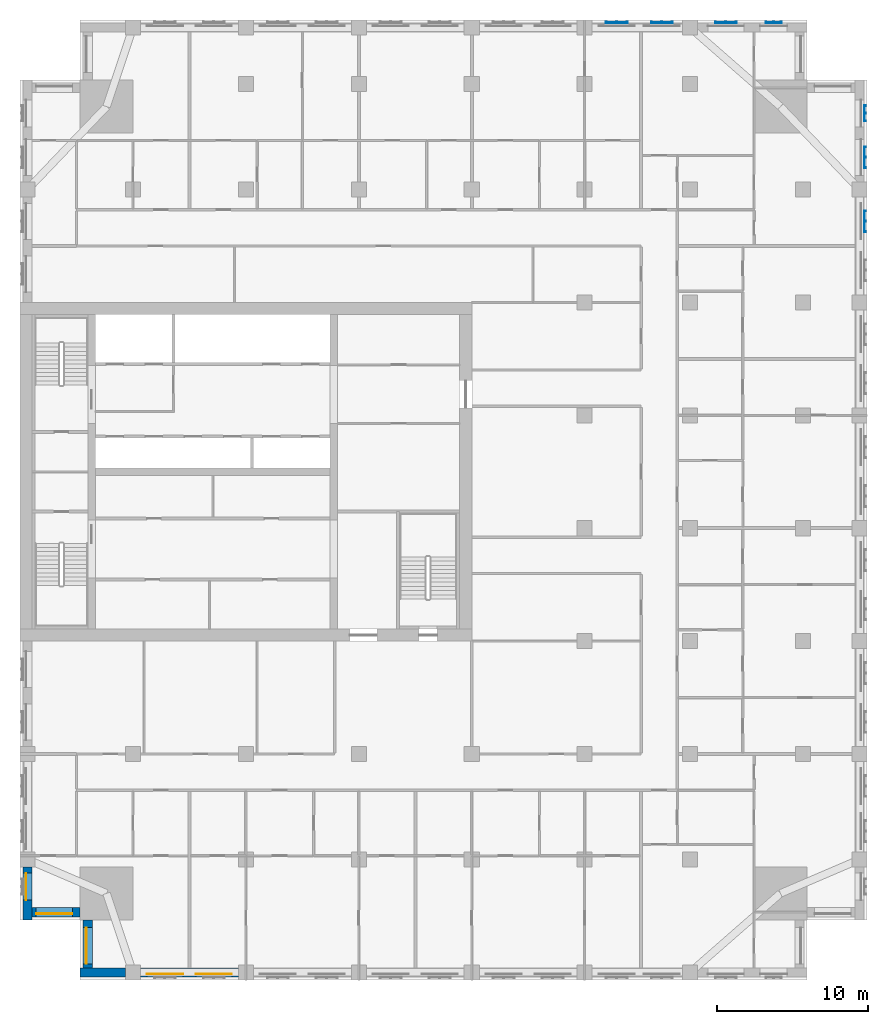
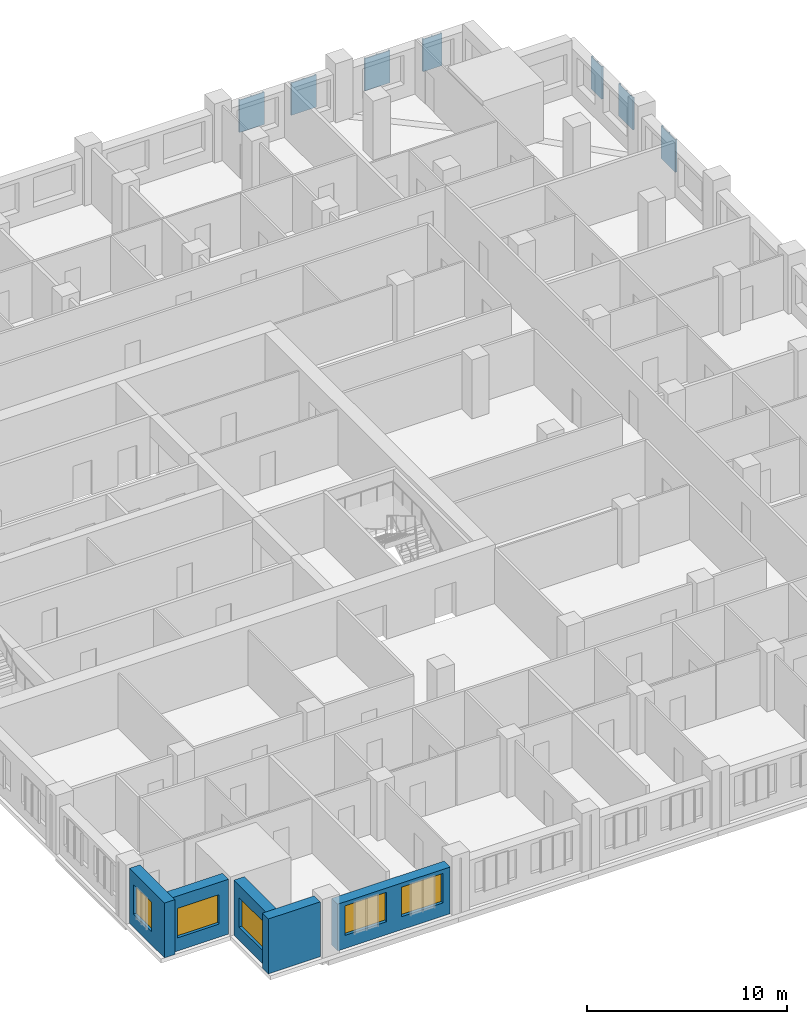
# One storey, part 3 of 13: 7 plates, 5 walls, 5 windows, 5 openings.
"""IFC4 building model written with IfcOpenShell, lengths in metres."""

from ifc_helpers import new_model, si_unit, direction, frame, frame_2d, origin, place, context, subcontext, project, spatial, polyline, rectangle, outline, extrude, material, layer, layer_set, type_object, element, fill, save


model = new_model("IFC4")

# Units and contexts
model_context = context("Model", 3, precision=1e-05, world=origin(), true_north=direction((0.0, 1.0)))
body_context = subcontext(model_context, "Body", "Model", "MODEL_VIEW")
ifc_project = project(units=[si_unit("LENGTHUNIT", "METRE"), si_unit("AREAUNIT", "SQUARE_METRE"), si_unit("VOLUMEUNIT", "CUBIC_METRE"), si_unit("PLANEANGLEUNIT", "RADIAN"), si_unit("MASSUNIT", "GRAM", prefix="KILO")], contexts=[model_context])

# Site, building, storey
site_placement = place(None, origin())
site = spatial("IfcSite", under=ifc_project, at=site_placement, CompositionType="ELEMENT")
building_placement = place(site_placement, origin())
building = spatial("IfcBuilding", under=site, at=building_placement, Name="Tamorin Gate", CompositionType="ELEMENT")
storey_placement = place(building_placement, frame((0.0, 0.0, 159.0)))
storey = spatial("IfcBuildingStorey", under=building, at=storey_placement, Name="L39", CompositionType="ELEMENT", Elevation=159.0)

# Plates
ifc_material_1 = material(Name="Perforated pale aluminium sheet", Category="aluminium")
ifc_layer_1 = layer(ifc_material_1, 0.0400390625)
ifc_layer_set_1 = layer_set([ifc_layer_1], Name="Pale metal solar screen 1080")
plate_type_1 = type_object("IfcPlateType", Name="Pale metal solar screen 1080", PredefinedType="SHEET", material=ifc_layer_set_1)
plate_1_placement = place(storey_placement, frame((0.0, 0.0, 0.7099609375)))
element("IfcPlate", 1, at=plate_1_placement, inside=storey, type_object=plate_type_1, Name="Perforated solar screen", PredefinedType="SHEET", context=body_context, shape_type="SweptSolid", body=[
    extrude(outline(polyline([(86.090087890625, 94.510009765625), (86.050048828125, 94.510009765625), (86.050048828125, 94.570068359375), (86.050048828125, 95.02001953125), (86.050048828125, 95.080078125), (86.050048828125, 95.530029296875), (86.050048828125, 95.590087890625), (86.090087890625, 95.590087890625), (86.14990234375, 95.590087890625), (86.14990234375, 95.530029296875), (86.090087890625, 95.530029296875), (86.090087890625, 95.080078125), (86.14990234375, 95.080078125), (86.14990234375, 95.02001953125), (86.090087890625, 95.02001953125), (86.090087890625, 94.570068359375), (86.14990234375, 94.570068359375), (86.14990234375, 94.510009765625), (86.090087890625, 94.510009765625)])), origin(), (0.0, 0.0, 1.0), 1.97998046875),
])
plate_2_placement = place(storey_placement, frame((0.0, 0.0, 0.7099609375)))
element("IfcPlate", 2, at=plate_2_placement, inside=storey, type_object=plate_type_1, Name="Perforated solar screen", PredefinedType="SHEET", context=body_context, shape_type="SweptSolid", body=[
    extrude(outline(polyline([(80.590087890625, 101.090087890625), (80.590087890625, 101.050048828125), (80.530029296875, 101.050048828125), (80.080078125, 101.050048828125), (80.02001953125, 101.050048828125), (79.570068359375, 101.050048828125), (79.510009765625, 101.050048828125), (79.510009765625, 101.090087890625), (79.510009765625, 101.14990234375), (79.570068359375, 101.14990234375), (79.570068359375, 101.090087890625), (80.02001953125, 101.090087890625), (80.02001953125, 101.14990234375), (80.080078125, 101.14990234375), (80.080078125, 101.090087890625), (80.530029296875, 101.090087890625), (80.530029296875, 101.14990234375), (80.590087890625, 101.14990234375), (80.590087890625, 101.090087890625)])), origin(), (0.0, 0.0, 1.0), 1.97998046875),
])
ifc_layer_2 = layer(ifc_material_1, 0.0400390625)
ifc_layer_set_2 = layer_set([ifc_layer_2], Name="Pale metal solar screen 1440")
plate_type_2 = type_object("IfcPlateType", Name="Pale metal solar screen 1440", PredefinedType="SHEET", material=ifc_layer_set_2)
plate_3_placement = place(storey_placement, frame((0.0, 0.0, 0.7099609375)))
element("IfcPlate", 3, at=plate_3_placement, inside=storey, type_object=plate_type_2, Name="Perforated solar screen", PredefinedType="SHEET", context=body_context, shape_type="SweptSolid", body=[
    extrude(outline(polyline([(86.090087890625, 87.155029296875), (86.050048828125, 87.155029296875), (86.050048828125, 87.215087890625), (86.050048828125, 87.844970703125), (86.050048828125, 87.905029296875), (86.050048828125, 88.534912109375), (86.050048828125, 88.594970703125), (86.090087890625, 88.594970703125), (86.14990234375, 88.594970703125), (86.14990234375, 88.534912109375), (86.090087890625, 88.534912109375), (86.090087890625, 87.905029296875), (86.14990234375, 87.905029296875), (86.14990234375, 87.844970703125), (86.090087890625, 87.844970703125), (86.090087890625, 87.215087890625), (86.14990234375, 87.215087890625), (86.14990234375, 87.155029296875), (86.090087890625, 87.155029296875)])), origin(), (0.0, 0.0, 1.0), 1.97998046875),
])
plate_4_placement = place(storey_placement, frame((0.0, 0.0, 0.7099609375)))
element("IfcPlate", 4, at=plate_4_placement, inside=storey, type_object=plate_type_2, Name="Perforated solar screen", PredefinedType="SHEET", context=body_context, shape_type="SweptSolid", body=[
    extrude(outline(polyline([(86.090087890625, 91.405029296875), (86.050048828125, 91.405029296875), (86.050048828125, 91.465087890625), (86.050048828125, 92.094970703125), (86.050048828125, 92.155029296875), (86.050048828125, 92.784912109375), (86.050048828125, 92.844970703125), (86.090087890625, 92.844970703125), (86.14990234375, 92.844970703125), (86.14990234375, 92.784912109375), (86.090087890625, 92.784912109375), (86.090087890625, 92.155029296875), (86.14990234375, 92.155029296875), (86.14990234375, 92.094970703125), (86.090087890625, 92.094970703125), (86.090087890625, 91.465087890625), (86.14990234375, 91.465087890625), (86.14990234375, 91.405029296875), (86.090087890625, 91.405029296875)])), origin(), (0.0, 0.0, 1.0), 1.97998046875),
])
plate_5_placement = place(storey_placement, frame((0.0, 0.0, 0.7099609375)))
element("IfcPlate", 5, at=plate_5_placement, inside=storey, type_object=plate_type_2, Name="Perforated solar screen", PredefinedType="SHEET", context=body_context, shape_type="SweptSolid", body=[
    extrude(outline(polyline([(77.594970703125, 101.090087890625), (77.594970703125, 101.050048828125), (77.534912109375, 101.050048828125), (76.905029296875, 101.050048828125), (76.844970703125, 101.050048828125), (76.215087890625, 101.050048828125), (76.155029296875, 101.050048828125), (76.155029296875, 101.050048828125), (76.155029296875, 101.090087890625), (76.155029296875, 101.090087890625), (76.155029296875, 101.14990234375), (76.215087890625, 101.14990234375), (76.215087890625, 101.090087890625), (76.844970703125, 101.090087890625), (76.844970703125, 101.14990234375), (76.905029296875, 101.14990234375), (76.905029296875, 101.090087890625), (77.534912109375, 101.090087890625), (77.534912109375, 101.14990234375), (77.594970703125, 101.14990234375), (77.594970703125, 101.090087890625)])), origin(), (0.0, 0.0, 1.0), 1.97998046875),
])
plate_6_placement = place(storey_placement, frame((0.0, 0.0, 0.7099609375)))
element("IfcPlate", 6, at=plate_6_placement, inside=storey, type_object=plate_type_2, Name="Perforated solar screen", PredefinedType="SHEET", context=body_context, shape_type="SweptSolid", body=[
    extrude(outline(polyline([(70.344970703125, 101.090087890625), (70.344970703125, 101.050048828125), (70.284912109375, 101.050048828125), (69.655029296875, 101.050048828125), (69.594970703125, 101.050048828125), (68.965087890625, 101.050048828125), (68.905029296875, 101.050048828125), (68.905029296875, 101.090087890625), (68.905029296875, 101.14990234375), (68.965087890625, 101.14990234375), (68.965087890625, 101.090087890625), (69.594970703125, 101.090087890625), (69.594970703125, 101.14990234375), (69.655029296875, 101.14990234375), (69.655029296875, 101.090087890625), (70.284912109375, 101.090087890625), (70.284912109375, 101.14990234375), (70.344970703125, 101.14990234375), (70.344970703125, 101.090087890625)])), origin(), (0.0, 0.0, 1.0), 1.97998046875),
])
plate_7_placement = place(storey_placement, frame((0.0, 0.0, 0.7099609375)))
element("IfcPlate", 7, at=plate_7_placement, inside=storey, type_object=plate_type_2, Name="Perforated solar screen", PredefinedType="SHEET", context=body_context, shape_type="SweptSolid", body=[
    extrude(outline(polyline([(73.344970703125, 101.090087890625), (73.344970703125, 101.050048828125), (73.284912109375, 101.050048828125), (72.655029296875, 101.050048828125), (72.594970703125, 101.050048828125), (71.965087890625, 101.050048828125), (71.905029296875, 101.050048828125), (71.905029296875, 101.090087890625), (71.905029296875, 101.14990234375), (71.965087890625, 101.14990234375), (71.965087890625, 101.090087890625), (72.594970703125, 101.090087890625), (72.594970703125, 101.14990234375), (72.655029296875, 101.14990234375), (72.655029296875, 101.090087890625), (73.284912109375, 101.090087890625), (73.284912109375, 101.14990234375), (73.344970703125, 101.14990234375), (73.344970703125, 101.090087890625)])), origin(), (0.0, 0.0, 1.0), 1.97998046875),
])

# Wall
ifc_material_2 = material(Name="Precast concrete C40/50", Category="concrete")
ifc_layer_3 = layer(ifc_material_2, 0.60009765625)
ifc_layer_set_3 = layer_set([ifc_layer_3], Name="Precast concrete C40/50")
wall_type = type_object("IfcWallType", Name="Board-marked concrete facade panel 600", PredefinedType="SOLIDWALL", material=ifc_layer_set_3)
wall_1_placement = place(storey_placement, frame((34.0, 38.0, 0.0), z_axis=(0.0, 0.0, 1.0), x_axis=(1.0, 0.0, 0.0)))
element("IfcWall", 8, at=wall_1_placement, inside=storey, type_object=wall_type, Name="Facade panel", PredefinedType="SOLIDWALL", context=body_context, shape_type="SweptSolid", body=[
    extrude(rectangle(XDim=3.0, YDim=0.60009765625, at=frame_2d((1.5, 0.0))), origin(), (0.0, 0.0, 1.0), 3.35009765625),
])

# Wall, openings, windows
wall_2_placement = place(storey_placement, frame((38.0, 38.0, 0.0), z_axis=(0.0, 0.0, 1.0), x_axis=(1.0, 0.0, 0.0)))
wall_2 = element("IfcWall", 9, at=wall_2_placement, inside=storey, type_object=wall_type, Name="Facade panel", PredefinedType="SOLIDWALL", context=body_context, shape_type="SweptSolid", body=[
    extrude(rectangle(XDim=6.5, YDim=0.60009765625, at=frame_2d((3.25, 0.0))), origin(), (0.0, 0.0, 1.0), 2.85009765625),
])
opening_1_placement = place(wall_2_placement, frame((0.425048828125, 0.0, 0.800048828125)))
opening_1 = element("IfcOpeningElement", 10, at=opening_1_placement, cuts=wall_2, Name="Opening WN1", PredefinedType="OPENING", context=body_context, shape_type="SweptSolid", body=[
    extrude(rectangle(XDim=2.39990234375, YDim=1.800048828125, at=frame_2d((1.199951171875, 0.89990234375))), frame((0.0, 0.31005859375, 0.0), z_axis=(0.0, -1.0, 0.0), x_axis=(1.0, 0.0, 0.0)), (0.0, 0.0, 1.0), 0.6201171875),
])
opening_2_placement = place(wall_2_placement, frame((3.675048828125, 0.0, 0.800048828125)))
opening_2 = element("IfcOpeningElement", 11, at=opening_2_placement, cuts=wall_2, Name="Opening WN1", PredefinedType="OPENING", context=body_context, shape_type="SweptSolid", body=[
    extrude(rectangle(XDim=2.39990234375, YDim=1.800048828125, at=frame_2d((1.199951171875, 0.89990234375))), frame((0.0, 0.31005859375, 0.0), z_axis=(0.0, -1.0, 0.0), x_axis=(1.0, 0.0, 0.0)), (0.0, 0.0, 1.0), 0.6201171875),
])
ifc_material_3 = material(Name="Clear glass in aluminium frame", Category="aluminium")
window_type_1 = type_object("IfcWindowType", Name="Deep-set window 2400x1800", PartitioningType="SINGLE_PANEL", PredefinedType="WINDOW", material=ifc_material_3)
window_1_placement = place(opening_1_placement, origin())
window_1 = element("IfcWindow", 12, at=window_1_placement, inside=storey, type_object=window_type_1, Name="Deep-set window", OverallHeight=1.800048828125, OverallWidth=2.39990234375, PartitioningType="SINGLE_PANEL", PredefinedType="WINDOW", context=body_context, shape_type="SweptSolid", body=[
    extrude(rectangle(XDim=2.39990234375, YDim=1.800048828125, at=frame_2d((1.199951171875, 0.89990234375))), frame((0.0, -0.070068359375, 0.0), z_axis=(0.0, -1.0, 0.0), x_axis=(1.0, 0.0, 0.0)), (0.0, 0.0, 1.0), 0.06005859375),
])
fill(opening_1, window_1)
window_2_placement = place(opening_2_placement, origin())
window_2 = element("IfcWindow", 13, at=window_2_placement, inside=storey, type_object=window_type_1, Name="Deep-set window", OverallHeight=1.800048828125, OverallWidth=2.39990234375, PartitioningType="SINGLE_PANEL", PredefinedType="WINDOW", context=body_context, shape_type="SweptSolid", body=[
    extrude(rectangle(XDim=2.39990234375, YDim=1.800048828125, at=frame_2d((1.199951171875, 0.89990234375))), frame((0.0, -0.070068359375, 0.0), z_axis=(0.0, -1.0, 0.0), x_axis=(1.0, 0.0, 0.0)), (0.0, 0.0, 1.0), 0.06005859375),
])
fill(opening_2, window_2)

# Wall, opening, window
wall_3_placement = place(storey_placement, frame((30.5, 45.0, 0.0), z_axis=(0.0, 0.0, 1.0), x_axis=(0.0, -1.0, 0.0)))
wall_3 = element("IfcWall", 14, at=wall_3_placement, inside=storey, type_object=wall_type, Name="Facade panel", PredefinedType="SOLIDWALL", context=body_context, shape_type="SweptSolid", body=[
    extrude(rectangle(XDim=3.5, YDim=0.60009765625, at=frame_2d((1.75, 0.0))), origin(), (0.0, 0.0, 1.0), 3.35009765625),
])
opening_3_placement = place(wall_3_placement, frame((0.39990234375, 0.0, 0.800048828125)))
opening_3 = element("IfcOpeningElement", 15, at=opening_3_placement, cuts=wall_3, Name="Opening WN2", PredefinedType="OPENING", context=body_context, shape_type="SweptSolid", body=[
    extrude(rectangle(XDim=1.800048828125, YDim=1.800048828125, at=frame_2d((0.89990234375, 0.89990234375))), frame((0.0, 0.31005859375, 0.0), z_axis=(0.0, -1.0, 0.0), x_axis=(1.0, 0.0, 0.0)), (0.0, 0.0, 1.0), 0.6201171875),
])
window_type_2 = type_object("IfcWindowType", Name="Deep-set window 1800x1800", PartitioningType="SINGLE_PANEL", PredefinedType="WINDOW", material=ifc_material_3)
window_3_placement = place(opening_3_placement, origin())
window_3 = element("IfcWindow", 16, at=window_3_placement, inside=storey, type_object=window_type_2, Name="Deep-set window", OverallHeight=1.800048828125, OverallWidth=1.800048828125, PartitioningType="SINGLE_PANEL", PredefinedType="WINDOW", context=body_context, shape_type="SweptSolid", body=[
    extrude(rectangle(XDim=1.800048828125, YDim=1.800048828125, at=frame_2d((0.89990234375, 0.89990234375))), frame((0.0, -0.070068359375, 0.0), z_axis=(0.0, -1.0, 0.0), x_axis=(1.0, 0.0, 0.0)), (0.0, 0.0, 1.0), 0.06005859375),
])
fill(opening_3, window_3)

wall_4_placement = place(storey_placement, frame((30.800048828125, 42.0, 0.0), z_axis=(0.0, 0.0, 1.0), x_axis=(1.0, 0.0, 0.0)))
wall_4 = element("IfcWall", 17, at=wall_4_placement, inside=storey, type_object=wall_type, Name="Facade panel", PredefinedType="SOLIDWALL", context=body_context, shape_type="SweptSolid", body=[
    extrude(rectangle(XDim=3.199951171875, YDim=0.60009765625, at=frame_2d((1.60009765625, 0.0))), origin(), (0.0, 0.0, 1.0), 3.35009765625),
])
opening_4_placement = place(wall_4_placement, frame((0.27490234375, 0.0, 0.800048828125)))
opening_4 = element("IfcOpeningElement", 18, at=opening_4_placement, cuts=wall_4, Name="Opening WN1", PredefinedType="OPENING", context=body_context, shape_type="SweptSolid", body=[
    extrude(rectangle(XDim=2.39990234375, YDim=1.800048828125, at=frame_2d((1.199951171875, 0.89990234375))), frame((0.0, 0.31005859375, 0.0), z_axis=(0.0, -1.0, 0.0), x_axis=(1.0, 0.0, 0.0)), (0.0, 0.0, 1.0), 0.6201171875),
])
window_4_placement = place(opening_4_placement, origin())
window_4 = element("IfcWindow", 19, at=window_4_placement, inside=storey, type_object=window_type_1, Name="Deep-set window", OverallHeight=1.800048828125, OverallWidth=2.39990234375, PartitioningType="SINGLE_PANEL", PredefinedType="WINDOW", context=body_context, shape_type="SweptSolid", body=[
    extrude(rectangle(XDim=2.39990234375, YDim=1.800048828125, at=frame_2d((1.199951171875, 0.89990234375))), frame((0.0, -0.070068359375, 0.0), z_axis=(0.0, -1.0, 0.0), x_axis=(1.0, 0.0, 0.0)), (0.0, 0.0, 1.0), 0.06005859375),
])
fill(opening_4, window_4)

wall_5_placement = place(storey_placement, frame((34.5, 41.5, 0.0), z_axis=(0.0, 0.0, 1.0), x_axis=(0.0, -1.0, 0.0)))
wall_5 = element("IfcWall", 20, at=wall_5_placement, inside=storey, type_object=wall_type, Name="Facade panel", PredefinedType="SOLIDWALL", context=body_context, shape_type="SweptSolid", body=[
    extrude(rectangle(XDim=3.199951171875, YDim=0.60009765625, at=frame_2d((1.60009765625, 0.0))), origin(), (0.0, 0.0, 1.0), 3.35009765625),
])
opening_5_placement = place(wall_5_placement, frame((0.52490234375, 0.0, 0.800048828125)))
opening_5 = element("IfcOpeningElement", 21, at=opening_5_placement, cuts=wall_5, Name="Opening WN1", PredefinedType="OPENING", context=body_context, shape_type="SweptSolid", body=[
    extrude(rectangle(XDim=2.39990234375, YDim=1.800048828125, at=frame_2d((1.199951171875, 0.89990234375))), frame((0.0, 0.31005859375, 0.0), z_axis=(0.0, -1.0, 0.0), x_axis=(1.0, 0.0, 0.0)), (0.0, 0.0, 1.0), 0.6201171875),
])
window_5_placement = place(opening_5_placement, origin())
window_5 = element("IfcWindow", 22, at=window_5_placement, inside=storey, type_object=window_type_1, Name="Deep-set window", OverallHeight=1.800048828125, OverallWidth=2.39990234375, PartitioningType="SINGLE_PANEL", PredefinedType="WINDOW", context=body_context, shape_type="SweptSolid", body=[
    extrude(rectangle(XDim=2.39990234375, YDim=1.800048828125, at=frame_2d((1.199951171875, 0.89990234375))), frame((0.0, -0.070068359375, 0.0), z_axis=(0.0, -1.0, 0.0), x_axis=(1.0, 0.0, 0.0)), (0.0, 0.0, 1.0), 0.06005859375),
])
fill(opening_5, window_5)

save(model, "model.ifc")
